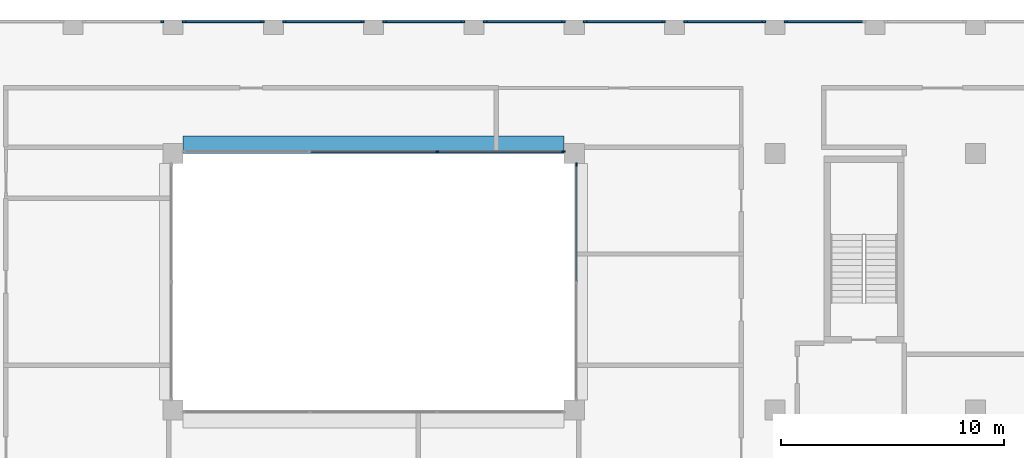
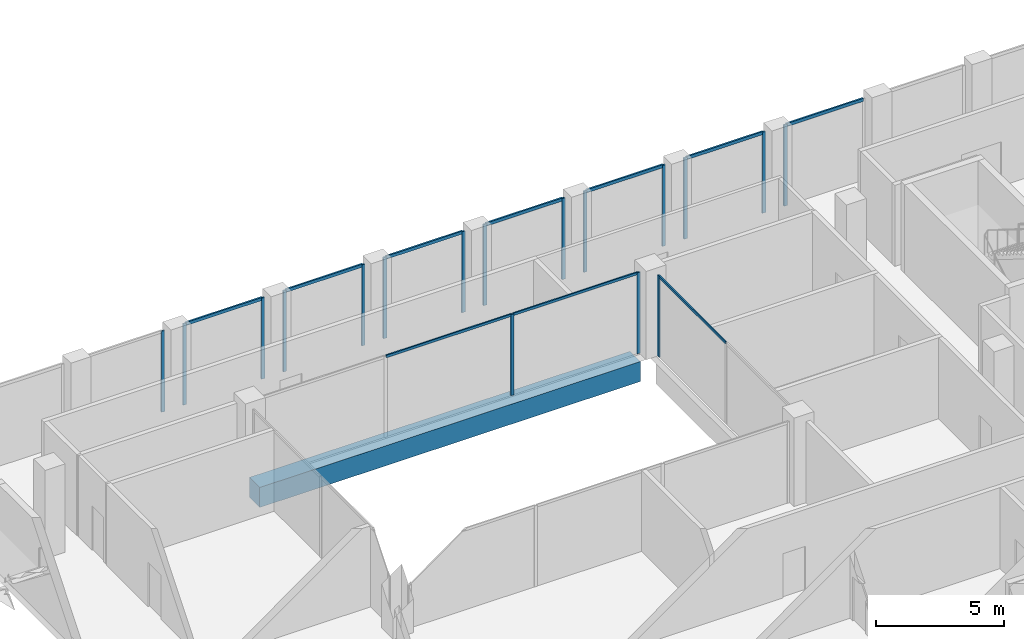
# One storey, part 8 of 15: 27 members, 1 beam, 10 elements without a shape of their own.
"""IFC4 building model written with IfcOpenShell, lengths in metres."""

from ifc_helpers import new_model, si_unit, direction, frame, origin, origin_2d, place, context, subcontext, project, spatial, rectangle, extrude, material, layer, layer_set, material_profile, profile_set, type_object, element, aggregate, save


model = new_model("IFC4")

# Units and contexts
model_context = context("Model", 3, precision=1e-05, world=origin(), true_north=direction((0.0, 1.0)))
body_context = subcontext(model_context, "Body", "Model", "MODEL_VIEW")
ifc_project = project(units=[si_unit("LENGTHUNIT", "METRE"), si_unit("AREAUNIT", "SQUARE_METRE"), si_unit("VOLUMEUNIT", "CUBIC_METRE"), si_unit("PLANEANGLEUNIT", "RADIAN"), si_unit("MASSUNIT", "GRAM", prefix="KILO")], contexts=[model_context])

# Site, building, storey
site_placement = place(None, origin())
site = spatial("IfcSite", under=ifc_project, at=site_placement, CompositionType="ELEMENT")
building_placement = place(site_placement, origin())
building = spatial("IfcBuilding", under=site, at=building_placement, Name="Brigalow Station Residences", CompositionType="ELEMENT")
storey_placement = place(building_placement, frame((0.0, 0.0, 240.0)))
storey = spatial("IfcBuildingStorey", under=building, at=storey_placement, Name="L69", CompositionType="ELEMENT", Elevation=240.0)

# Beam
ifc_material_1 = material(Name="Concrete C65", Category="concrete")
ifc_material_profile_1 = material_profile(ifc_material_1, rectangle(XDim=0.800048828125, YDim=0.949951171875, at=origin_2d()), Name="RC800x950")
ifc_profile_set_1 = profile_set([ifc_material_profile_1], Name="Concrete C65")
beam_type = type_object("IfcBeamType", Name="ATRIUM EDGE GIRDER OVER 13.5 M SPAN 800x950 C65", PredefinedType="BEAM", material=ifc_profile_set_1)
beam_placement = place(storey_placement, frame((27.449951171875, 35.89990234375, -0.824951171875), z_axis=(1.0, 0.0, 0.0), x_axis=(0.0, 1.0, 0.0)))
element("IfcBeam", 1, at=beam_placement, inside=storey, type_object=beam_type, Name="ATRIUM EDGE GIRDER D L69", PredefinedType="BEAM", context=body_context, shape_type="SweptSolid", body=[
    extrude(rectangle(XDim=0.800048828125, YDim=0.949951171875, at=origin_2d()), origin(), (0.0, 0.0, 1.0), 17.10009765625),
])

# Curtain wall, member
ifc_material_2 = material(Name="Aluminium", Category="aluminium")
ifc_layer_1 = layer(ifc_material_2, 0.14990234375)
ifc_layer_set_1 = layer_set([ifc_layer_1], Name="ATRIUM FIRE-RATED GLAZING CURTAIN WALL")
curtain_wall_type_1 = type_object("IfcCurtainWallType", Name="ATRIUM FIRE-RATED GLAZING CURTAIN WALL", PredefinedType="NOTDEFINED", material=ifc_layer_set_1)
curtain_wall_1_placement = place(storey_placement, origin())
curtain_wall_1 = element("IfcCurtainWall", 2, at=curtain_wall_1_placement, inside=storey, type_object=curtain_wall_type_1, Name="L69/cw/atrium-E", PredefinedType="NOTDEFINED")
ifc_material_3 = material(Name="Aluminium", Category="aluminium")
ifc_material_profile_2 = material_profile(ifc_material_3, rectangle(XDim=0.06005859375, YDim=0.14990234375, at=origin_2d()), Name="ATRIUM FIRE-RATED GLAZING MULLION 60x150")
ifc_profile_set_2 = profile_set([ifc_material_profile_2], Name="Aluminium")
member_type_1 = type_object("IfcMemberType", Name="ATRIUM FIRE-RATED GLAZING MULLION 60x150", PredefinedType="MULLION", material=ifc_profile_set_2)
member_1_placement = place(storey_placement, frame((45.10009765625, 35.02001953125, 0.0), z_axis=(0.0, 0.0, 1.0), x_axis=(-1.0, 0.0, 0.0)))
member_1 = element("IfcMember", 3, at=member_1_placement, type_object=member_type_1, Name="L69/cw/atrium-E/M02", PredefinedType="MULLION", context=body_context, shape_type="SweptSolid", body=[
    extrude(rectangle(XDim=0.06005859375, YDim=0.14990234375, at=origin_2d()), origin(), (0.0, 0.0, 1.0), 3.85009765625),
])

# Curtain wall, members
curtain_wall_2_placement = place(storey_placement, origin())
curtain_wall_2 = element("IfcCurtainWall", 4, at=curtain_wall_2_placement, inside=storey, type_object=curtain_wall_type_1, Name="L69/cw/atrium-N", PredefinedType="NOTDEFINED")
member_2_placement = place(storey_placement, frame((44.52001953125, 35.60009765625, 0.0), z_axis=(0.0, 0.0, 1.0), x_axis=(0.0, -1.0, 0.0)))
member_2 = element("IfcMember", 5, at=member_2_placement, type_object=member_type_1, Name="L69/cw/atrium-N/M00", PredefinedType="MULLION", context=body_context, shape_type="SweptSolid", body=[
    extrude(rectangle(XDim=0.06005859375, YDim=0.14990234375, at=origin_2d()), origin(), (0.0, 0.0, 1.0), 3.85009765625),
])
member_3_placement = place(storey_placement, frame((38.85009765625, 35.60009765625, 0.0), z_axis=(0.0, 0.0, 1.0), x_axis=(0.0, -1.0, 0.0)))
member_3 = element("IfcMember", 6, at=member_3_placement, type_object=member_type_1, Name="L69/cw/atrium-N/M01", PredefinedType="MULLION", context=body_context, shape_type="SweptSolid", body=[
    extrude(rectangle(XDim=0.06005859375, YDim=0.14990234375, at=origin_2d()), origin(), (0.0, 0.0, 1.0), 3.85009765625),
])

# Member
ifc_material_4 = material(Name="Aluminium", Category="aluminium")
ifc_material_profile_3 = material_profile(ifc_material_4, rectangle(XDim=0.06005859375, YDim=0.1201171875, at=origin_2d()), Name="ATRIUM FIRE-RATED GLAZING TRANSOM 60x120")
ifc_profile_set_3 = profile_set([ifc_material_profile_3], Name="Aluminium")
member_type_2 = type_object("IfcMemberType", Name="ATRIUM FIRE-RATED GLAZING TRANSOM 60x120", PredefinedType="USERDEFINED", material=ifc_profile_set_3)
member_4_placement = place(storey_placement, frame((45.10009765625, 29.780029296875, 3.820068359375), z_axis=(0.0, 1.0, 0.0), x_axis=(-1.0, 0.0, 0.0)))
member_4 = element("IfcMember", 7, at=member_4_placement, type_object=member_type_2, Name="L69/cw/atrium-E/T01-00", ObjectType="TRANSOM", PredefinedType="USERDEFINED", context=body_context, shape_type="SweptSolid", body=[
    extrude(rectangle(XDim=0.06005859375, YDim=0.1201171875, at=origin_2d()), origin(), (0.0, 0.0, 1.0), 5.2099609375),
])

aggregate(curtain_wall_1, [member_1, member_4])

member_5_placement = place(storey_placement, frame((44.489990234375, 35.60009765625, 3.820068359375), z_axis=(-1.0, 0.0, 0.0), x_axis=(0.0, -1.0, 0.0)))
member_5 = element("IfcMember", 8, at=member_5_placement, type_object=member_type_2, Name="L69/cw/atrium-N/T00-00", ObjectType="TRANSOM", PredefinedType="USERDEFINED", context=body_context, shape_type="SweptSolid", body=[
    extrude(rectangle(XDim=0.06005859375, YDim=0.1201171875, at=origin_2d()), origin(), (0.0, 0.0, 1.0), 5.610107421875),
])

member_6_placement = place(storey_placement, frame((38.820068359375, 35.60009765625, 3.820068359375), z_axis=(-1.0, 0.0, 0.0), x_axis=(0.0, -1.0, 0.0)))
member_6 = element("IfcMember", 9, at=member_6_placement, type_object=member_type_2, Name="L69/cw/atrium-N/T01-00", ObjectType="TRANSOM", PredefinedType="USERDEFINED", context=body_context, shape_type="SweptSolid", body=[
    extrude(rectangle(XDim=0.06005859375, YDim=0.1201171875, at=origin_2d()), origin(), (0.0, 0.0, 1.0), 5.64013671875),
])

aggregate(curtain_wall_2, [member_2, member_3, member_5, member_6])

# Curtain wall, member
ifc_material_5 = material(Name="Aluminium", Category="aluminium")
ifc_layer_2 = layer(ifc_material_5, 0.14990234375)
ifc_layer_set_2 = layer_set([ifc_layer_2], Name="CROWN CURTAIN WALL")
curtain_wall_type_2 = type_object("IfcCurtainWallType", Name="CROWN CURTAIN WALL", PredefinedType="NOTDEFINED", material=ifc_layer_set_2)
curtain_wall_3_placement = place(storey_placement, origin())
curtain_wall_3 = element("IfcCurtainWall", 10, at=curtain_wall_3_placement, inside=storey, type_object=curtain_wall_type_2, Name="L69/cw/crown-W-L69-20-21", PredefinedType="NOTDEFINED")
ifc_material_6 = material(Name="Aluminium", Category="aluminium")
ifc_material_profile_4 = material_profile(ifc_material_6, rectangle(XDim=0.074951171875, YDim=0.14990234375, at=origin_2d()), Name="CROWN MULLION 75x150")
ifc_profile_set_4 = profile_set([ifc_material_profile_4], Name="Aluminium")
member_type_3 = type_object("IfcMemberType", Name="CROWN MULLION 75x150", PredefinedType="MULLION", material=ifc_profile_set_4)
member_7_placement = place(storey_placement, frame((54.487548828125, 41.425048828125, 0.0), z_axis=(0.0, 0.0, 1.0), x_axis=(0.0, -1.0, 0.0)))
member_7 = element("IfcMember", 11, at=member_7_placement, type_object=member_type_3, Name="L69/cw/crown-W-L69-20-21/M01", PredefinedType="MULLION", context=body_context, shape_type="SweptSolid", body=[
    extrude(rectangle(XDim=0.074951171875, YDim=0.14990234375, at=origin_2d()), origin(), (0.0, 0.0, 1.0), 3.85009765625),
])

# Curtain wall, members
curtain_wall_4_placement = place(storey_placement, origin())
curtain_wall_4 = element("IfcCurtainWall", 12, at=curtain_wall_4_placement, inside=storey, type_object=curtain_wall_type_2, Name="L69/cw/crown-W-L69-20-22", PredefinedType="NOTDEFINED")
member_8_placement = place(storey_placement, frame((53.512451171875, 41.425048828125, 0.0), z_axis=(0.0, 0.0, 1.0), x_axis=(0.0, -1.0, 0.0)))
member_8 = element("IfcMember", 13, at=member_8_placement, type_object=member_type_3, Name="L69/cw/crown-W-L69-20-22/M00", PredefinedType="MULLION", context=body_context, shape_type="SweptSolid", body=[
    extrude(rectangle(XDim=0.074951171875, YDim=0.14990234375, at=origin_2d()), origin(), (0.0, 0.0, 1.0), 3.85009765625),
])
member_9_placement = place(storey_placement, frame((49.987548828125, 41.425048828125, 0.0), z_axis=(0.0, 0.0, 1.0), x_axis=(0.0, -1.0, 0.0)))
member_9 = element("IfcMember", 14, at=member_9_placement, type_object=member_type_3, Name="L69/cw/crown-W-L69-20-22/M01", PredefinedType="MULLION", context=body_context, shape_type="SweptSolid", body=[
    extrude(rectangle(XDim=0.074951171875, YDim=0.14990234375, at=origin_2d()), origin(), (0.0, 0.0, 1.0), 3.85009765625),
])

curtain_wall_5_placement = place(storey_placement, origin())
curtain_wall_5 = element("IfcCurtainWall", 15, at=curtain_wall_5_placement, inside=storey, type_object=curtain_wall_type_2, Name="L69/cw/crown-W-L69-20-23", PredefinedType="NOTDEFINED")
member_10_placement = place(storey_placement, frame((49.012451171875, 41.425048828125, 0.0), z_axis=(0.0, 0.0, 1.0), x_axis=(0.0, -1.0, 0.0)))
member_10 = element("IfcMember", 16, at=member_10_placement, type_object=member_type_3, Name="L69/cw/crown-W-L69-20-23/M00", PredefinedType="MULLION", context=body_context, shape_type="SweptSolid", body=[
    extrude(rectangle(XDim=0.074951171875, YDim=0.14990234375, at=origin_2d()), origin(), (0.0, 0.0, 1.0), 3.85009765625),
])
member_11_placement = place(storey_placement, frame((45.487548828125, 41.425048828125, 0.0), z_axis=(0.0, 0.0, 1.0), x_axis=(0.0, -1.0, 0.0)))
member_11 = element("IfcMember", 17, at=member_11_placement, type_object=member_type_3, Name="L69/cw/crown-W-L69-20-23/M01", PredefinedType="MULLION", context=body_context, shape_type="SweptSolid", body=[
    extrude(rectangle(XDim=0.074951171875, YDim=0.14990234375, at=origin_2d()), origin(), (0.0, 0.0, 1.0), 3.85009765625),
])

curtain_wall_6_placement = place(storey_placement, origin())
curtain_wall_6 = element("IfcCurtainWall", 18, at=curtain_wall_6_placement, inside=storey, type_object=curtain_wall_type_2, Name="L69/cw/crown-W-L69-20-24", PredefinedType="NOTDEFINED")
member_12_placement = place(storey_placement, frame((44.512451171875, 41.425048828125, 0.0), z_axis=(0.0, 0.0, 1.0), x_axis=(0.0, -1.0, 0.0)))
member_12 = element("IfcMember", 19, at=member_12_placement, type_object=member_type_3, Name="L69/cw/crown-W-L69-20-24/M00", PredefinedType="MULLION", context=body_context, shape_type="SweptSolid", body=[
    extrude(rectangle(XDim=0.074951171875, YDim=0.14990234375, at=origin_2d()), origin(), (0.0, 0.0, 1.0), 3.85009765625),
])
member_13_placement = place(storey_placement, frame((40.987548828125, 41.425048828125, 0.0), z_axis=(0.0, 0.0, 1.0), x_axis=(0.0, -1.0, 0.0)))
member_13 = element("IfcMember", 20, at=member_13_placement, type_object=member_type_3, Name="L69/cw/crown-W-L69-20-24/M01", PredefinedType="MULLION", context=body_context, shape_type="SweptSolid", body=[
    extrude(rectangle(XDim=0.074951171875, YDim=0.14990234375, at=origin_2d()), origin(), (0.0, 0.0, 1.0), 3.85009765625),
])

curtain_wall_7_placement = place(storey_placement, origin())
curtain_wall_7 = element("IfcCurtainWall", 21, at=curtain_wall_7_placement, inside=storey, type_object=curtain_wall_type_2, Name="L69/cw/crown-W-L69-20-25", PredefinedType="NOTDEFINED")
member_14_placement = place(storey_placement, frame((40.012451171875, 41.425048828125, 0.0), z_axis=(0.0, 0.0, 1.0), x_axis=(0.0, -1.0, 0.0)))
member_14 = element("IfcMember", 22, at=member_14_placement, type_object=member_type_3, Name="L69/cw/crown-W-L69-20-25/M00", PredefinedType="MULLION", context=body_context, shape_type="SweptSolid", body=[
    extrude(rectangle(XDim=0.074951171875, YDim=0.14990234375, at=origin_2d()), origin(), (0.0, 0.0, 1.0), 3.85009765625),
])
member_15_placement = place(storey_placement, frame((36.487548828125, 41.425048828125, 0.0), z_axis=(0.0, 0.0, 1.0), x_axis=(0.0, -1.0, 0.0)))
member_15 = element("IfcMember", 23, at=member_15_placement, type_object=member_type_3, Name="L69/cw/crown-W-L69-20-25/M01", PredefinedType="MULLION", context=body_context, shape_type="SweptSolid", body=[
    extrude(rectangle(XDim=0.074951171875, YDim=0.14990234375, at=origin_2d()), origin(), (0.0, 0.0, 1.0), 3.85009765625),
])

curtain_wall_8_placement = place(storey_placement, origin())
curtain_wall_8 = element("IfcCurtainWall", 24, at=curtain_wall_8_placement, inside=storey, type_object=curtain_wall_type_2, Name="L69/cw/crown-W-L69-20-26", PredefinedType="NOTDEFINED")
member_16_placement = place(storey_placement, frame((35.512451171875, 41.425048828125, 0.0), z_axis=(0.0, 0.0, 1.0), x_axis=(0.0, -1.0, 0.0)))
member_16 = element("IfcMember", 25, at=member_16_placement, type_object=member_type_3, Name="L69/cw/crown-W-L69-20-26/M00", PredefinedType="MULLION", context=body_context, shape_type="SweptSolid", body=[
    extrude(rectangle(XDim=0.074951171875, YDim=0.14990234375, at=origin_2d()), origin(), (0.0, 0.0, 1.0), 3.85009765625),
])
member_17_placement = place(storey_placement, frame((31.987548828125, 41.425048828125, 0.0), z_axis=(0.0, 0.0, 1.0), x_axis=(0.0, -1.0, 0.0)))
member_17 = element("IfcMember", 26, at=member_17_placement, type_object=member_type_3, Name="L69/cw/crown-W-L69-20-26/M01", PredefinedType="MULLION", context=body_context, shape_type="SweptSolid", body=[
    extrude(rectangle(XDim=0.074951171875, YDim=0.14990234375, at=origin_2d()), origin(), (0.0, 0.0, 1.0), 3.85009765625),
])

curtain_wall_9_placement = place(storey_placement, origin())
curtain_wall_9 = element("IfcCurtainWall", 27, at=curtain_wall_9_placement, inside=storey, type_object=curtain_wall_type_2, Name="L69/cw/crown-W-L69-20-27", PredefinedType="NOTDEFINED")
member_18_placement = place(storey_placement, frame((31.012451171875, 41.425048828125, 0.0), z_axis=(0.0, 0.0, 1.0), x_axis=(0.0, -1.0, 0.0)))
member_18 = element("IfcMember", 28, at=member_18_placement, type_object=member_type_3, Name="L69/cw/crown-W-L69-20-27/M00", PredefinedType="MULLION", context=body_context, shape_type="SweptSolid", body=[
    extrude(rectangle(XDim=0.074951171875, YDim=0.14990234375, at=origin_2d()), origin(), (0.0, 0.0, 1.0), 3.85009765625),
])
member_19_placement = place(storey_placement, frame((27.487548828125, 41.425048828125, 0.0), z_axis=(0.0, 0.0, 1.0), x_axis=(0.0, -1.0, 0.0)))
member_19 = element("IfcMember", 29, at=member_19_placement, type_object=member_type_3, Name="L69/cw/crown-W-L69-20-27/M01", PredefinedType="MULLION", context=body_context, shape_type="SweptSolid", body=[
    extrude(rectangle(XDim=0.074951171875, YDim=0.14990234375, at=origin_2d()), origin(), (0.0, 0.0, 1.0), 3.85009765625),
])

# Curtain wall, member
curtain_wall_10_placement = place(storey_placement, origin())
curtain_wall_10 = element("IfcCurtainWall", 30, at=curtain_wall_10_placement, inside=storey, type_object=curtain_wall_type_2, Name="L69/cw/crown-W-L69-20-28", PredefinedType="NOTDEFINED")
member_20_placement = place(storey_placement, frame((26.512451171875, 41.425048828125, 0.0), z_axis=(0.0, 0.0, 1.0), x_axis=(0.0, -1.0, 0.0)))
member_20 = element("IfcMember", 31, at=member_20_placement, type_object=member_type_3, Name="L69/cw/crown-W-L69-20-28/M00", PredefinedType="MULLION", context=body_context, shape_type="SweptSolid", body=[
    extrude(rectangle(XDim=0.074951171875, YDim=0.14990234375, at=origin_2d()), origin(), (0.0, 0.0, 1.0), 3.85009765625),
])
aggregate(curtain_wall_10, [member_20])

# Member
ifc_material_7 = material(Name="Aluminium", Category="aluminium")
ifc_material_profile_5 = material_profile(ifc_material_7, rectangle(XDim=0.074951171875, YDim=0.14990234375, at=origin_2d()), Name="CROWN TRANSOM 75x150")
ifc_profile_set_5 = profile_set([ifc_material_profile_5], Name="Aluminium")
member_type_4 = type_object("IfcMemberType", Name="CROWN TRANSOM 75x150", PredefinedType="USERDEFINED", material=ifc_profile_set_5)
member_21_placement = place(storey_placement, frame((57.97509765625, 41.425048828125, 3.8125), z_axis=(-1.0, 0.0, 0.0), x_axis=(0.0, -1.0, 0.0)))
member_21 = element("IfcMember", 32, at=member_21_placement, type_object=member_type_4, Name="L69/cw/crown-W-L69-20-21/T00-00", ObjectType="TRANSOM", PredefinedType="USERDEFINED", context=body_context, shape_type="SweptSolid", body=[
    extrude(rectangle(XDim=0.074951171875, YDim=0.14990234375, at=origin_2d()), origin(), (0.0, 0.0, 1.0), 3.4501953125),
])

aggregate(curtain_wall_3, [member_7, member_21])

member_22_placement = place(storey_placement, frame((53.47509765625, 41.425048828125, 3.8125), z_axis=(-1.0, 0.0, 0.0), x_axis=(0.0, -1.0, 0.0)))
member_22 = element("IfcMember", 33, at=member_22_placement, type_object=member_type_4, Name="L69/cw/crown-W-L69-20-22/T00-00", ObjectType="TRANSOM", PredefinedType="USERDEFINED", context=body_context, shape_type="SweptSolid", body=[
    extrude(rectangle(XDim=0.074951171875, YDim=0.14990234375, at=origin_2d()), origin(), (0.0, 0.0, 1.0), 3.4501953125),
])

aggregate(curtain_wall_4, [member_8, member_9, member_22])

member_23_placement = place(storey_placement, frame((48.97509765625, 41.425048828125, 3.8125), z_axis=(-1.0, 0.0, 0.0), x_axis=(0.0, -1.0, 0.0)))
member_23 = element("IfcMember", 34, at=member_23_placement, type_object=member_type_4, Name="L69/cw/crown-W-L69-20-23/T00-00", ObjectType="TRANSOM", PredefinedType="USERDEFINED", context=body_context, shape_type="SweptSolid", body=[
    extrude(rectangle(XDim=0.074951171875, YDim=0.14990234375, at=origin_2d()), origin(), (0.0, 0.0, 1.0), 3.4501953125),
])

aggregate(curtain_wall_5, [member_10, member_11, member_23])

member_24_placement = place(storey_placement, frame((44.47509765625, 41.425048828125, 3.8125), z_axis=(-1.0, 0.0, 0.0), x_axis=(0.0, -1.0, 0.0)))
member_24 = element("IfcMember", 35, at=member_24_placement, type_object=member_type_4, Name="L69/cw/crown-W-L69-20-24/T00-00", ObjectType="TRANSOM", PredefinedType="USERDEFINED", context=body_context, shape_type="SweptSolid", body=[
    extrude(rectangle(XDim=0.074951171875, YDim=0.14990234375, at=origin_2d()), origin(), (0.0, 0.0, 1.0), 3.4501953125),
])

aggregate(curtain_wall_6, [member_12, member_13, member_24])

member_25_placement = place(storey_placement, frame((39.97509765625, 41.425048828125, 3.8125), z_axis=(-1.0, 0.0, 0.0), x_axis=(0.0, -1.0, 0.0)))
member_25 = element("IfcMember", 36, at=member_25_placement, type_object=member_type_4, Name="L69/cw/crown-W-L69-20-25/T00-00", ObjectType="TRANSOM", PredefinedType="USERDEFINED", context=body_context, shape_type="SweptSolid", body=[
    extrude(rectangle(XDim=0.074951171875, YDim=0.14990234375, at=origin_2d()), origin(), (0.0, 0.0, 1.0), 3.4501953125),
])

aggregate(curtain_wall_7, [member_14, member_15, member_25])

member_26_placement = place(storey_placement, frame((35.47509765625, 41.425048828125, 3.8125), z_axis=(-1.0, 0.0, 0.0), x_axis=(0.0, -1.0, 0.0)))
member_26 = element("IfcMember", 37, at=member_26_placement, type_object=member_type_4, Name="L69/cw/crown-W-L69-20-26/T00-00", ObjectType="TRANSOM", PredefinedType="USERDEFINED", context=body_context, shape_type="SweptSolid", body=[
    extrude(rectangle(XDim=0.074951171875, YDim=0.14990234375, at=origin_2d()), origin(), (0.0, 0.0, 1.0), 3.4501953125),
])

aggregate(curtain_wall_8, [member_16, member_17, member_26])

member_27_placement = place(storey_placement, frame((30.97509765625, 41.425048828125, 3.8125), z_axis=(-1.0, 0.0, 0.0), x_axis=(0.0, -1.0, 0.0)))
member_27 = element("IfcMember", 38, at=member_27_placement, type_object=member_type_4, Name="L69/cw/crown-W-L69-20-27/T00-00", ObjectType="TRANSOM", PredefinedType="USERDEFINED", context=body_context, shape_type="SweptSolid", body=[
    extrude(rectangle(XDim=0.074951171875, YDim=0.14990234375, at=origin_2d()), origin(), (0.0, 0.0, 1.0), 3.4501953125),
])

aggregate(curtain_wall_9, [member_18, member_19, member_27])

save(model, "model.ifc")
